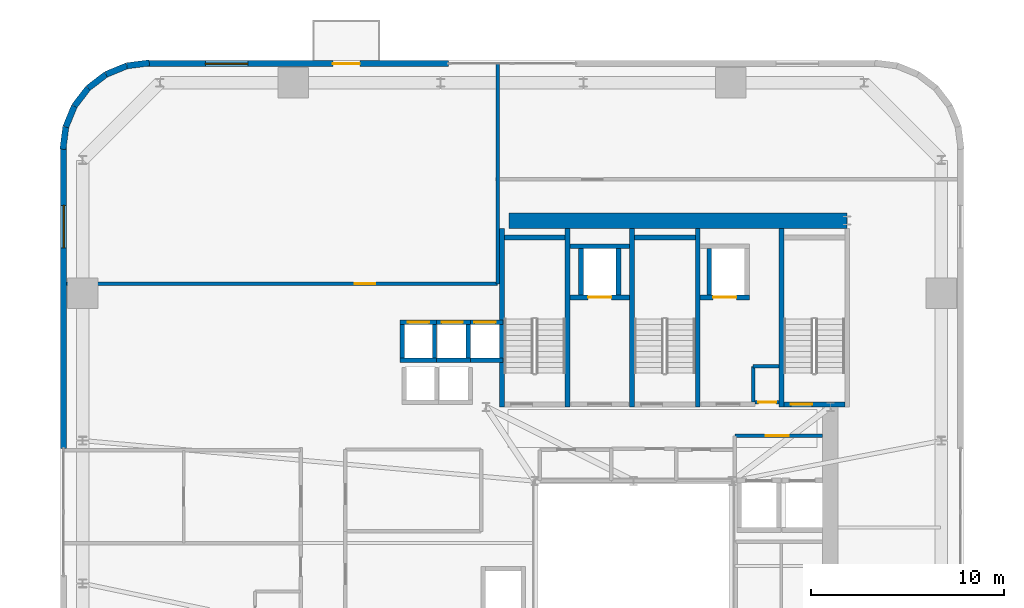
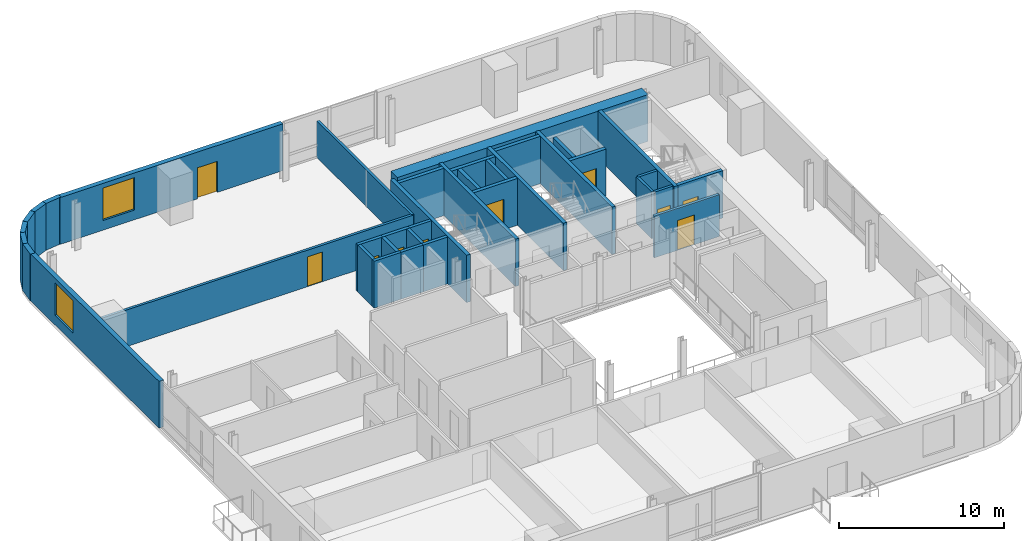
# One storey, part 8 of 13: 38 walls, 10 doors, 2 windows, 12 openings.
"""IFC4 building model written with IfcOpenShell, lengths in metres."""

from ifc_helpers import new_model, si_unit, direction, frame, frame_2d, origin, place, context, subcontext, project, spatial, rectangle, extrude, source, transform, mapped, material, layer, layer_set, type_object, element, fill, save


model = new_model("IFC4")

# Units and contexts
model_context = context("Model", 3, precision=1e-05, world=origin(), true_north=direction((0.0, 1.0)))
body_context = subcontext(model_context, "Body", "Model", "MODEL_VIEW")
ifc_project = project(units=[si_unit("LENGTHUNIT", "METRE"), si_unit("AREAUNIT", "SQUARE_METRE"), si_unit("VOLUMEUNIT", "CUBIC_METRE"), si_unit("PLANEANGLEUNIT", "RADIAN"), si_unit("MASSUNIT", "GRAM", prefix="KILO")], contexts=[model_context])

# Site, building, storey
site_placement = place(None, origin())
site = spatial("IfcSite", under=ifc_project, at=site_placement, CompositionType="ELEMENT")
building_placement = place(site_placement, origin())
building = spatial("IfcBuilding", under=site, at=building_placement, Name="Vardaveli Station Tower", CompositionType="ELEMENT")
storey_placement = place(building_placement, frame((0.0, 0.0, 115.0)))
storey = spatial("IfcBuildingStorey", under=building, at=storey_placement, Name="L29", CompositionType="ELEMENT", Elevation=115.0)

# Wall
ifc_material_1 = material(Name="Concrete C50/60", Category="concrete")
ifc_layer_1 = layer(ifc_material_1, 0.800048828125, Name="Concrete C50/60")
ifc_layer_set_1 = layer_set([ifc_layer_1], Name="Concrete C50/60")
wall_type_1 = type_object("IfcWallType", Name="WAL-CORE-800", PredefinedType="SHEAR", material=ifc_layer_set_1)
shared_shape_1 = source(origin(), body_context, "Body", "SweptSolid", [
    extrude(rectangle(XDim=17.52001953125, YDim=0.800048828125, at=frame_2d((8.760009765625, 0.0))), origin(), (0.0, 0.0, 1.0), 3.4599609375),
])
wall_1_placement = place(storey_placement, frame((29.85009765625, 40.300048828125, 0.0), z_axis=(0.0, 0.0, 1.0), x_axis=(1.0, 0.0, 0.0)))
element("IfcWall", 1, at=wall_1_placement, inside=storey, type_object=wall_type_1, Name="SW-L29-NORTH", PredefinedType="SHEAR", context=body_context, shape_type="MappedRepresentation", body=[
    mapped(shared_shape_1, transform((0.0, 0.0, 0.0), scale=1.0)),
])

# Wall, openings, door, window
ifc_material_2 = material(Name="Precast concrete C45/55", Category="concrete")
ifc_layer_2 = layer(ifc_material_2, 0.320068359375, Name="Precast concrete C45/55")
ifc_layer_set_2 = layer_set([ifc_layer_2], Name="Precast concrete C45/55")
wall_type_2 = type_object("IfcWallType", Name="WAL-EXT-STONE-320", PredefinedType="SOLIDWALL", material=ifc_layer_set_2)
shared_shape_2 = source(origin(), body_context, "Body", "SweptSolid", [
    extrude(rectangle(XDim=15.599853515625, YDim=0.320068359375, at=frame_2d((7.7998046875, 0.0))), origin(), (0.0, 0.0, 1.0), 3.4599609375),
])
wall_2_placement = place(storey_placement, frame((26.699951171875, 48.43994140625, 0.0), z_axis=(0.0, 0.0, 1.0), x_axis=(-1.0, 0.0, 0.0)))
wall_2 = element("IfcWall", 2, at=wall_2_placement, inside=storey, type_object=wall_type_2, Name="EW-L29-N2", PredefinedType="SOLIDWALL", context=body_context, shape_type="MappedRepresentation", body=[
    mapped(shared_shape_2, transform((0.0, 0.0, 0.0), scale=1.0)),
])
shared_shape_3 = source(origin(), body_context, "Body", "SweptSolid", [
    extrude(rectangle(XDim=1.39990234375, YDim=2.300048828125, at=frame_2d((0.699951171875, 1.14990234375))), frame((0.0, 0.169921875, 0.0), z_axis=(0.0, -1.0, 0.0), x_axis=(1.0, 0.0, 0.0)), (0.0, 0.0, 1.0), 0.340087890625),
])
opening_1_placement = place(wall_2_placement, frame((4.589599609375, 0.0, 0.0)))
opening_1 = element("IfcOpeningElement", 3, at=opening_1_placement, cuts=wall_2, Name="Opening D-09", PredefinedType="OPENING", context=body_context, shape_type="MappedRepresentation", body=[
    mapped(shared_shape_3, transform((0.0, 0.0, 0.0), scale=1.0)),
])
shared_shape_4 = source(origin(), body_context, "Body", "SweptSolid", [
    extrude(rectangle(XDim=2.199951171875, YDim=2.39990234375, at=frame_2d((1.10009765625, 1.199951171875))), frame((0.0, 0.169921875, 0.0), z_axis=(0.0, -1.0, 0.0), x_axis=(1.0, 0.0, 0.0)), (0.0, 0.0, 1.0), 0.340087890625),
])
opening_2_placement = place(wall_2_placement, frame((10.39501953125, 0.0, 0.719970703125)))
opening_2 = element("IfcOpeningElement", 4, at=opening_2_placement, cuts=wall_2, Name="Opening W-03", PredefinedType="OPENING", context=body_context, shape_type="MappedRepresentation", body=[
    mapped(shared_shape_4, transform((0.0, 0.0, 0.0), scale=1.0)),
])
ifc_material_3 = material(Name="Thermally broken aluminium glass", Category="aluminium")
door_type_1 = type_object("IfcDoorType", Name="DR-LOG-1400x2300", OperationType="DOUBLE_DOOR_SLIDING", PredefinedType="DOOR", material=ifc_material_3)
shared_shape_5 = source(origin(), body_context, "Body", "SweptSolid", [
    extrude(rectangle(XDim=1.39990234375, YDim=2.300048828125, at=frame_2d((0.699951171875, 1.14990234375))), frame((0.0, 0.02490234375, 0.0), z_axis=(0.0, -1.0, 0.0), x_axis=(1.0, 0.0, 0.0)), (0.0, 0.0, 1.0), 0.050048828125),
])
door_1_placement = place(opening_1_placement, frame((1.39990234375, 0.0, 0.0), z_axis=(0.0, 0.0, 1.0), x_axis=(-1.0, 0.0, 0.0)))
door_1 = element("IfcDoor", 5, at=door_1_placement, inside=storey, type_object=door_type_1, Name="DLG-L29-N", OperationType="DOUBLE_DOOR_SLIDING", OverallHeight=2.300048828125, OverallWidth=1.39990234375, PredefinedType="DOOR", context=body_context, shape_type="MappedRepresentation", body=[
    mapped(shared_shape_5, transform((0.0, 0.0, 0.0), scale=1.0)),
])
fill(opening_1, door_1)
ifc_material_4 = material(Name="Low-E solar-control glass", Category="glass")
window_type = type_object("IfcWindowType", Name="WIN-LOG-2200x2400", PartitioningType="SINGLE_PANEL", PredefinedType="WINDOW", material=ifc_material_4)
shared_shape_6 = source(origin(), body_context, "Body", "SweptSolid", [
    extrude(rectangle(XDim=2.199951171875, YDim=2.39990234375, at=frame_2d((1.10009765625, 1.199951171875))), frame((0.0, 0.030029296875, 0.0), z_axis=(0.0, -1.0, 0.0), x_axis=(1.0, 0.0, 0.0)), (0.0, 0.0, 1.0), 0.06005859375),
])
window_1_placement = place(opening_2_placement, origin())
window_1 = element("IfcWindow", 6, at=window_1_placement, inside=storey, type_object=window_type, Name="WN-L29-N2", OverallHeight=2.39990234375, OverallWidth=2.199951171875, PartitioningType="SINGLE_PANEL", PredefinedType="WINDOW", context=body_context, shape_type="MappedRepresentation", body=[
    mapped(shared_shape_6, transform((0.0, 0.0, 0.0), scale=1.0)),
])
fill(opening_2, window_1)

# Wall, opening, window
shared_shape_7 = source(origin(), body_context, "Body", "SweptSolid", [
    extrude(rectangle(XDim=15.60009765625, YDim=0.320068359375, at=frame_2d((7.800048828125, 0.0))), origin(), (0.0, 0.0, 1.0), 3.4599609375),
])
wall_3_placement = place(storey_placement, frame((6.760009765625, 44.10009765625, 0.0), z_axis=(0.0, 0.0, 1.0), x_axis=(0.0, -1.0, 0.0)))
wall_3 = element("IfcWall", 7, at=wall_3_placement, inside=storey, type_object=wall_type_2, Name="EW-L29-W1", PredefinedType="SOLIDWALL", context=body_context, shape_type="MappedRepresentation", body=[
    mapped(shared_shape_7, transform((0.0, 0.0, 0.0), scale=1.0)),
])
opening_3_placement = place(wall_3_placement, frame((3.0048828125, 0.0, 0.719970703125)))
opening_3 = element("IfcOpeningElement", 8, at=opening_3_placement, cuts=wall_3, Name="Opening W-03", PredefinedType="OPENING", context=body_context, shape_type="MappedRepresentation", body=[
    mapped(shared_shape_4, transform((0.0, 0.0, 0.0), scale=1.0)),
])
window_2_placement = place(opening_3_placement, origin())
window_2 = element("IfcWindow", 9, at=window_2_placement, inside=storey, type_object=window_type, Name="WN-L29-W1", OverallHeight=2.39990234375, OverallWidth=2.199951171875, PartitioningType="SINGLE_PANEL", PredefinedType="WINDOW", context=body_context, shape_type="MappedRepresentation", body=[
    mapped(shared_shape_6, transform((0.0, 0.0, 0.0), scale=1.0)),
])
fill(opening_3, window_2)

# Walls
shared_shape_8 = source(origin(), body_context, "Body", "SweptSolid", [
    extrude(rectangle(XDim=1.1689453125, YDim=0.320068359375, at=frame_2d((0.58447265625, 0.0))), origin(), (0.0, 0.0, 1.0), 3.4599609375),
])
wall_4_placement = place(storey_placement, frame((8.03125, 47.1689453125, 0.0), z_axis=(0.0, 0.0, 1.0), x_axis=(-0.608387696831, -0.793639975269, 0.0)))
element("IfcWall", 10, at=wall_4_placement, inside=storey, type_object=wall_type_2, Name="EW-L29-CR4-4", PredefinedType="SOLIDWALL", context=body_context, shape_type="MappedRepresentation", body=[
    mapped(shared_shape_8, transform((0.0, 0.0, 0.0), scale=1.0)),
])
shared_shape_9 = source(origin(), body_context, "Body", "SweptSolid", [
    extrude(rectangle(XDim=1.168701171875, YDim=0.320068359375, at=frame_2d((0.58447265625, 0.0))), origin(), (0.0, 0.0, 1.0), 3.4599609375),
])
wall_5_placement = place(storey_placement, frame((8.958740234375, 47.8798828125, 0.0), z_axis=(0.0, 0.0, 1.0), x_axis=(-0.793663520347, -0.608356981114, 0.0)))
element("IfcWall", 11, at=wall_5_placement, inside=storey, type_object=wall_type_2, Name="EW-L29-CR4-3", PredefinedType="SOLIDWALL", context=body_context, shape_type="MappedRepresentation", body=[
    mapped(shared_shape_9, transform((0.0, 0.0, 0.0), scale=1.0)),
])
shared_shape_10 = source(origin(), body_context, "Body", "SweptSolid", [
    extrude(rectangle(XDim=1.17041015625, YDim=0.320068359375, at=frame_2d((0.585205078125, 0.0))), origin(), (0.0, 0.0, 1.0), 3.4599609375),
])
for number, where, z_axis, x_axis, name in (
    (12, (11.200439453125, 48.4755859375, 0.0), (0.0, 0.0, 1.0), (-0.991735963317, -0.128295670475, 0.0), "EW-L29-CR4-1"),
    (13, (6.87451171875, 45.16015625, 0.0), (0.0, 0.0, 1.0), (-0.128295670475, -0.991735963317, 0.0), "EW-L29-CR4-6"),
):
    element("IfcWall", number, at=place(storey_placement, frame(where, z_axis=z_axis, x_axis=x_axis)), inside=storey, type_object=wall_type_2, Name=name, PredefinedType="SOLIDWALL", context=body_context, shape_type="MappedRepresentation", body=[
        mapped(shared_shape_10, transform((0.0, 0.0, 0.0), scale=1.0)),
    ])
shared_shape_11 = source(origin(), body_context, "Body", "SweptSolid", [
    extrude(rectangle(XDim=1.169189453125, YDim=0.320068359375, at=frame_2d((0.58447265625, 0.0))), origin(), (0.0, 0.0, 1.0), 3.4599609375),
])
for number, where, z_axis, x_axis, name in (
    (14, (10.039794921875, 48.325439453125, 0.0), (0.0, 0.0, 1.0), (-0.924552646638, -0.381054331552, 0.0), "EW-L29-CR4-2"),
    (15, (7.320068359375, 46.2412109375, 0.0), (0.0, 0.0, 1.0), (-0.381054331552, -0.924552646638, 0.0), "EW-L29-CR4-5"),
):
    element("IfcWall", number, at=place(storey_placement, frame(where, z_axis=z_axis, x_axis=x_axis)), inside=storey, type_object=wall_type_2, Name=name, PredefinedType="SOLIDWALL", context=body_context, shape_type="MappedRepresentation", body=[
        mapped(shared_shape_11, transform((0.0, 0.0, 0.0), scale=1.0)),
    ])
ifc_material_5 = material(Name="Concrete C40/50", Category="concrete")
ifc_layer_3 = layer(ifc_material_5, 0.25, Name="Concrete C40/50")
ifc_layer_set_3 = layer_set([ifc_layer_3], Name="Concrete C40/50")
wall_type_3 = type_object("IfcWallType", Name="WAL-SHAFT-250", PredefinedType="SOLIDWALL", material=ifc_layer_set_3)
shared_shape_12 = source(origin(), body_context, "Body", "SweptSolid", [
    extrude(rectangle(XDim=9.25, YDim=0.25, at=frame_2d((4.625, 0.0))), origin(), (0.0, 0.0, 1.0), 3.5),
])
for number, where, z_axis, x_axis, name in (
    (16, (29.47509765625, 30.64990234375, 0.0), (0.0, 0.0, 1.0), (0.0, 1.0, 0.0), "W-L29-ST-1W"),
    (17, (32.875, 30.64990234375, 0.0), (0.0, 0.0, 1.0), (0.0, 1.0, 0.0), "W-L29-ST-1E"),
    (18, (36.22509765625, 30.64990234375, 0.0), (0.0, 0.0, 1.0), (0.0, 1.0, 0.0), "W-L29-ST-2W"),
    (19, (39.625, 30.64990234375, 0.0), (0.0, 0.0, 1.0), (0.0, 1.0, 0.0), "W-L29-ST-2E"),
    (20, (43.97509765625, 30.64990234375, 0.0), (0.0, 0.0, 1.0), (0.0, 1.0, 0.0), "W-L29-ST-3W"),
):
    element("IfcWall", number, at=place(storey_placement, frame(where, z_axis=z_axis, x_axis=x_axis)), inside=storey, type_object=wall_type_3, Name=name, PredefinedType="SOLIDWALL", context=body_context, shape_type="MappedRepresentation", body=[
        mapped(shared_shape_12, transform((0.0, 0.0, 0.0), scale=1.0)),
    ])
shared_shape_13 = source(origin(), body_context, "Body", "SweptSolid", [
    extrude(rectangle(XDim=3.14990234375, YDim=0.25, at=frame_2d((1.574951171875, 0.0))), origin(), (0.0, 0.0, 1.0), 3.5),
])
for number, where, z_axis, x_axis, name in (
    (21, (29.60009765625, 39.425048828125, 0.0), (0.0, 0.0, 1.0), (1.0, 0.0, 0.0), "W-L29-ST-1N"),
    (22, (36.35009765625, 39.425048828125, 0.0), (0.0, 0.0, 1.0), (1.0, 0.0, 0.0), "W-L29-ST-2N"),
):
    element("IfcWall", number, at=place(storey_placement, frame(where, z_axis=z_axis, x_axis=x_axis)), inside=storey, type_object=wall_type_3, Name=name, PredefinedType="SOLIDWALL", context=body_context, shape_type="MappedRepresentation", body=[
        mapped(shared_shape_13, transform((0.0, 0.0, 0.0), scale=1.0)),
    ])

# Wall, opening, door
wall_6_placement = place(storey_placement, frame((44.10009765625, 30.77490234375, 0.0), z_axis=(0.0, 0.0, 1.0), x_axis=(1.0, 0.0, 0.0)))
wall_6 = element("IfcWall", 23, at=wall_6_placement, inside=storey, type_object=wall_type_3, Name="W-L29-ST-3S", PredefinedType="SOLIDWALL", context=body_context, shape_type="MappedRepresentation", body=[
    mapped(shared_shape_13, transform((0.0, 0.0, 0.0), scale=1.0)),
])
shared_shape_14 = source(origin(), body_context, "Body", "SweptSolid", [
    extrude(rectangle(XDim=1.10009765625, YDim=2.199951171875, at=frame_2d((0.550048828125, 1.10009765625))), frame((0.0, 0.135009765625, 0.0), z_axis=(0.0, -1.0, 0.0), x_axis=(1.0, 0.0, 0.0)), (0.0, 0.0, 1.0), 0.27001953125),
])
opening_4_placement = place(wall_6_placement, frame((0.35009765625, 0.0, 0.0)))
opening_4 = element("IfcOpeningElement", 24, at=opening_4_placement, cuts=wall_6, Name="Opening D-04", PredefinedType="OPENING", context=body_context, shape_type="MappedRepresentation", body=[
    mapped(shared_shape_14, transform((0.0, 0.0, 0.0), scale=1.0)),
])
ifc_material_6 = material(Name="Steel smokeproof fire doorset", Category="steel")
door_type_2 = type_object("IfcDoorType", Name="DR-ST-1100x2200", OperationType="NOTDEFINED", PredefinedType="DOOR", material=ifc_material_6)
shared_shape_15 = source(origin(), body_context, "Body", "SweptSolid", [
    extrude(rectangle(XDim=1.10009765625, YDim=2.199951171875, at=frame_2d((0.550048828125, 1.10009765625))), frame((0.0, 0.02490234375, 0.0), z_axis=(0.0, -1.0, 0.0), x_axis=(1.0, 0.0, 0.0)), (0.0, 0.0, 1.0), 0.050048828125),
])
door_2_placement = place(opening_4_placement, origin())
door_2 = element("IfcDoor", 25, at=door_2_placement, inside=storey, type_object=door_type_2, Name="DST-3-L29", OperationType="SINGLE_SWING_LEFT", OverallHeight=2.199951171875, OverallWidth=1.10009765625, PredefinedType="DOOR", context=body_context, shape_type="MappedRepresentation", body=[
    mapped(shared_shape_15, transform((0.0, 0.0, 0.0), scale=1.0)),
])
fill(opening_4, door_2)

# Wall
ifc_layer_4 = layer(ifc_material_5, 0.219970703125, Name="Concrete C40/50")
ifc_layer_set_4 = layer_set([ifc_layer_4], Name="Concrete C40/50")
wall_type_4 = type_object("IfcWallType", Name="WAL-FFLOBBY-220", PredefinedType="SOLIDWALL", material=ifc_layer_set_4)
shared_shape_16 = source(origin(), body_context, "Body", "SweptSolid", [
    extrude(rectangle(XDim=1.889892578125, YDim=0.219970703125, at=frame_2d((0.94482421875, 0.0))), origin(), (0.0, 0.0, 1.0), 3.4599609375),
])
wall_7_placement = place(storey_placement, frame((24.205078125, 33.06494140625, 0.0), z_axis=(0.0, 0.0, 1.0), x_axis=(1.0, 0.0, 0.0)))
element("IfcWall", 26, at=wall_7_placement, inside=storey, type_object=wall_type_4, Name="SHW-HL2-01-L29-S", PredefinedType="SOLIDWALL", context=body_context, shape_type="MappedRepresentation", body=[
    mapped(shared_shape_16, transform((0.0, 0.0, 0.0), scale=1.0)),
])

# Wall, opening, door
wall_8_placement = place(storey_placement, frame((24.205078125, 35.034912109375, 0.0), z_axis=(0.0, 0.0, 1.0), x_axis=(1.0, 0.0, 0.0)))
wall_8 = element("IfcWall", 27, at=wall_8_placement, inside=storey, type_object=wall_type_4, Name="SHW-HL2-01-L29-N", PredefinedType="SOLIDWALL", context=body_context, shape_type="MappedRepresentation", body=[
    mapped(shared_shape_16, transform((0.0, 0.0, 0.0), scale=1.0)),
])
shared_shape_17 = source(origin(), body_context, "Body", "SweptSolid", [
    extrude(rectangle(XDim=1.10009765625, YDim=2.199951171875, at=frame_2d((0.550048828125, 1.10009765625))), frame((0.0, 0.1201171875, 0.0), z_axis=(0.0, -1.0, 0.0), x_axis=(1.0, 0.0, 0.0)), (0.0, 0.0, 1.0), 0.239990234375),
])
opening_5_placement = place(wall_8_placement, frame((0.39501953125, 0.0, 0.0)))
opening_5 = element("IfcOpeningElement", 28, at=opening_5_placement, cuts=wall_8, Name="Opening LD-01", PredefinedType="OPENING", context=body_context, shape_type="MappedRepresentation", body=[
    mapped(shared_shape_17, transform((0.0, 0.0, 0.0), scale=1.0)),
])
ifc_material_7 = material(Name="Brushed stainless steel", Category="steel")
door_type_3 = type_object("IfcDoorType", Name="DR-LD-1100x2200", OperationType="DOUBLE_DOOR_SLIDING", PredefinedType="DOOR", material=ifc_material_7)
door_3_placement = place(opening_5_placement, origin())
door_3 = element("IfcDoor", 29, at=door_3_placement, inside=storey, type_object=door_type_3, Name="LD-HL2-01-L29", OperationType="DOUBLE_DOOR_SLIDING", OverallHeight=2.199951171875, OverallWidth=1.10009765625, PredefinedType="DOOR", context=body_context, shape_type="MappedRepresentation", body=[
    mapped(shared_shape_15, transform((0.0, 0.0, 0.0), scale=1.0)),
])
fill(opening_5, door_3)

# Wall
wall_9_placement = place(storey_placement, frame((25.955078125, 33.06494140625, 0.0), z_axis=(0.0, 0.0, 1.0), x_axis=(1.0, 0.0, 0.0)))
element("IfcWall", 30, at=wall_9_placement, inside=storey, type_object=wall_type_4, Name="SHW-HL2-02-L29-S", PredefinedType="SOLIDWALL", context=body_context, shape_type="MappedRepresentation", body=[
    mapped(shared_shape_16, transform((0.0, 0.0, 0.0), scale=1.0)),
])

# Wall, opening, door
wall_10_placement = place(storey_placement, frame((25.955078125, 35.034912109375, 0.0), z_axis=(0.0, 0.0, 1.0), x_axis=(1.0, 0.0, 0.0)))
wall_10 = element("IfcWall", 31, at=wall_10_placement, inside=storey, type_object=wall_type_4, Name="SHW-HL2-02-L29-N", PredefinedType="SOLIDWALL", context=body_context, shape_type="MappedRepresentation", body=[
    mapped(shared_shape_16, transform((0.0, 0.0, 0.0), scale=1.0)),
])
opening_6_placement = place(wall_10_placement, frame((0.39501953125, 0.0, 0.0)))
opening_6 = element("IfcOpeningElement", 32, at=opening_6_placement, cuts=wall_10, Name="Opening LD-01", PredefinedType="OPENING", context=body_context, shape_type="MappedRepresentation", body=[
    mapped(shared_shape_17, transform((0.0, 0.0, 0.0), scale=1.0)),
])
door_4_placement = place(opening_6_placement, origin())
door_4 = element("IfcDoor", 33, at=door_4_placement, inside=storey, type_object=door_type_3, Name="LD-HL2-02-L29", OperationType="DOUBLE_DOOR_SLIDING", OverallHeight=2.199951171875, OverallWidth=1.10009765625, PredefinedType="DOOR", context=body_context, shape_type="MappedRepresentation", body=[
    mapped(shared_shape_15, transform((0.0, 0.0, 0.0), scale=1.0)),
])
fill(opening_6, door_4)

# Wall
wall_11_placement = place(storey_placement, frame((27.655029296875, 33.06494140625, 0.0), z_axis=(0.0, 0.0, 1.0), x_axis=(1.0, 0.0, 0.0)))
element("IfcWall", 34, at=wall_11_placement, inside=storey, type_object=wall_type_4, Name="SHW-HL2-03-L29-S", PredefinedType="SOLIDWALL", context=body_context, shape_type="MappedRepresentation", body=[
    mapped(shared_shape_16, transform((0.0, 0.0, 0.0), scale=1.0)),
])

# Wall, opening, door
wall_12_placement = place(storey_placement, frame((27.655029296875, 35.034912109375, 0.0), z_axis=(0.0, 0.0, 1.0), x_axis=(1.0, 0.0, 0.0)))
wall_12 = element("IfcWall", 35, at=wall_12_placement, inside=storey, type_object=wall_type_4, Name="SHW-HL2-03-L29-N", PredefinedType="SOLIDWALL", context=body_context, shape_type="MappedRepresentation", body=[
    mapped(shared_shape_16, transform((0.0, 0.0, 0.0), scale=1.0)),
])
opening_7_placement = place(wall_12_placement, frame((0.39501953125, 0.0, 0.0)))
opening_7 = element("IfcOpeningElement", 36, at=opening_7_placement, cuts=wall_12, Name="Opening LD-01", PredefinedType="OPENING", context=body_context, shape_type="MappedRepresentation", body=[
    mapped(shared_shape_17, transform((0.0, 0.0, 0.0), scale=1.0)),
])
door_5_placement = place(opening_7_placement, origin())
door_5 = element("IfcDoor", 37, at=door_5_placement, inside=storey, type_object=door_type_3, Name="LD-HL2-03-L29", OperationType="DOUBLE_DOOR_SLIDING", OverallHeight=2.199951171875, OverallWidth=1.10009765625, PredefinedType="DOOR", context=body_context, shape_type="MappedRepresentation", body=[
    mapped(shared_shape_15, transform((0.0, 0.0, 0.0), scale=1.0)),
])
fill(opening_7, door_5)

# Walls
shared_shape_18 = source(origin(), body_context, "Body", "SweptSolid", [
    extrude(rectangle(XDim=1.75, YDim=0.219970703125, at=frame_2d((0.875, 0.0))), origin(), (0.0, 0.0, 1.0), 3.4599609375),
])
for number, where, z_axis, x_axis, name in (
    (38, (24.31494140625, 33.175048828125, 0.0), (0.0, 0.0, 1.0), (0.0, 1.0, 0.0), "SHW-HL2-01-L29-W"),
    (39, (25.985107421875, 33.175048828125, 0.0), (0.0, 0.0, 1.0), (0.0, 1.0, 0.0), "SHW-HL2-01-L29-E"),
    (40, (27.735107421875, 33.175048828125, 0.0), (0.0, 0.0, 1.0), (0.0, 1.0, 0.0), "SHW-HL2-02-L29-E"),
):
    element("IfcWall", number, at=place(storey_placement, frame(where, z_axis=z_axis, x_axis=x_axis)), inside=storey, type_object=wall_type_4, Name=name, PredefinedType="SOLIDWALL", context=body_context, shape_type="MappedRepresentation", body=[
        mapped(shared_shape_18, transform((0.0, 0.0, 0.0), scale=1.0)),
    ])

# Wall, opening, door
shared_shape_19 = source(origin(), body_context, "Body", "SweptSolid", [
    extrude(rectangle(XDim=3.10009765625, YDim=0.25, at=frame_2d((1.550048828125, 0.0))), origin(), (0.0, 0.0, 1.0), 3.4599609375),
])
wall_13_placement = place(storey_placement, frame((33.0, 36.324951171875, 0.0), z_axis=(0.0, 0.0, 1.0), x_axis=(1.0, 0.0, 0.0)))
wall_13 = element("IfcWall", 41, at=wall_13_placement, inside=storey, type_object=wall_type_3, Name="SHW-FFL-01-L29-S", PredefinedType="SOLIDWALL", context=body_context, shape_type="MappedRepresentation", body=[
    mapped(shared_shape_19, transform((0.0, 0.0, 0.0), scale=1.0)),
])
shared_shape_20 = source(origin(), body_context, "Body", "SweptSolid", [
    extrude(rectangle(XDim=1.199951171875, YDim=2.25, at=frame_2d((0.60009765625, 1.125))), frame((0.0, 0.135009765625, 0.0), z_axis=(0.0, -1.0, 0.0), x_axis=(1.0, 0.0, 0.0)), (0.0, 0.0, 1.0), 0.27001953125),
])
opening_8_placement = place(wall_13_placement, frame((0.949951171875, 0.0, 0.0)))
opening_8 = element("IfcOpeningElement", 42, at=opening_8_placement, cuts=wall_13, Name="Opening LD-02", PredefinedType="OPENING", context=body_context, shape_type="MappedRepresentation", body=[
    mapped(shared_shape_20, transform((0.0, 0.0, 0.0), scale=1.0)),
])
door_type_4 = type_object("IfcDoorType", Name="DR-LD-1200x2250", OperationType="DOUBLE_DOOR_SLIDING", PredefinedType="DOOR", material=ifc_material_7)
shared_shape_21 = source(origin(), body_context, "Body", "SweptSolid", [
    extrude(rectangle(XDim=1.199951171875, YDim=2.25, at=frame_2d((0.60009765625, 1.125))), frame((0.0, 0.02490234375, 0.0), z_axis=(0.0, -1.0, 0.0), x_axis=(1.0, 0.0, 0.0)), (0.0, 0.0, 1.0), 0.050048828125),
])
door_6_placement = place(opening_8_placement, origin())
door_6 = element("IfcDoor", 43, at=door_6_placement, inside=storey, type_object=door_type_4, Name="LD-FFL-01-L29", OperationType="DOUBLE_DOOR_SLIDING", OverallHeight=2.25, OverallWidth=1.199951171875, PredefinedType="DOOR", context=body_context, shape_type="MappedRepresentation", body=[
    mapped(shared_shape_21, transform((0.0, 0.0, 0.0), scale=1.0)),
])
fill(opening_8, door_6)

# Walls
wall_14_placement = place(storey_placement, frame((33.0, 38.97509765625, 0.0), z_axis=(0.0, 0.0, 1.0), x_axis=(1.0, 0.0, 0.0)))
element("IfcWall", 44, at=wall_14_placement, inside=storey, type_object=wall_type_3, Name="SHW-FFL-01-L29-N", PredefinedType="SOLIDWALL", context=body_context, shape_type="MappedRepresentation", body=[
    mapped(shared_shape_19, transform((0.0, 0.0, 0.0), scale=1.0)),
])
shared_shape_22 = source(origin(), body_context, "Body", "SweptSolid", [
    extrude(rectangle(XDim=2.400146484375, YDim=0.25, at=frame_2d((1.2001953125, 0.0))), origin(), (0.0, 0.0, 1.0), 3.4599609375),
])
for number, where, z_axis, x_axis, name in (
    (45, (33.574951171875, 36.449951171875, 0.0), (0.0, 0.0, 1.0), (0.0, 1.0, 0.0), "SHW-FFL-01-L29-W"),
    (46, (35.52490234375, 36.449951171875, 0.0), (0.0, 0.0, 1.0), (0.0, 1.0, 0.0), "SHW-FFL-01-L29-E"),
    (47, (40.22509765625, 36.449951171875, 0.0), (0.0, 0.0, 1.0), (0.0, 1.0, 0.0), "SHW-FFL-02-L29-W"),
):
    element("IfcWall", number, at=place(storey_placement, frame(where, z_axis=z_axis, x_axis=x_axis)), inside=storey, type_object=wall_type_3, Name=name, PredefinedType="SOLIDWALL", context=body_context, shape_type="MappedRepresentation", body=[
        mapped(shared_shape_22, transform((0.0, 0.0, 0.0), scale=1.0)),
    ])

# Wall, opening, door
shared_shape_23 = source(origin(), body_context, "Body", "SweptSolid", [
    extrude(rectangle(XDim=2.550048828125, YDim=0.25, at=frame_2d((1.27490234375, 0.0))), origin(), (0.0, 0.0, 1.0), 3.4599609375),
])
wall_15_placement = place(storey_placement, frame((39.75, 36.324951171875, 0.0), z_axis=(0.0, 0.0, 1.0), x_axis=(1.0, 0.0, 0.0)))
wall_15 = element("IfcWall", 48, at=wall_15_placement, inside=storey, type_object=wall_type_3, Name="SHW-FFL-02-L29-S", PredefinedType="SOLIDWALL", context=body_context, shape_type="MappedRepresentation", body=[
    mapped(shared_shape_23, transform((0.0, 0.0, 0.0), scale=1.0)),
])
opening_9_placement = place(wall_15_placement, frame((0.675048828125, 0.0, 0.0)))
opening_9 = element("IfcOpeningElement", 49, at=opening_9_placement, cuts=wall_15, Name="Opening LD-02", PredefinedType="OPENING", context=body_context, shape_type="MappedRepresentation", body=[
    mapped(shared_shape_20, transform((0.0, 0.0, 0.0), scale=1.0)),
])
door_7_placement = place(opening_9_placement, origin())
door_7 = element("IfcDoor", 50, at=door_7_placement, inside=storey, type_object=door_type_4, Name="LD-FFL-02-L29", OperationType="DOUBLE_DOOR_SLIDING", OverallHeight=2.25, OverallWidth=1.199951171875, PredefinedType="DOOR", context=body_context, shape_type="MappedRepresentation", body=[
    mapped(shared_shape_21, transform((0.0, 0.0, 0.0), scale=1.0)),
])
fill(opening_9, door_7)

ifc_material_8 = material(Name="Fire-rated gypsum stud partition")
ifc_layer_5 = layer(ifc_material_8, 0.179931640625, Name="Fire-rated gypsum stud partition")
ifc_layer_set_5 = layer_set([ifc_layer_5], Name="Fire-rated gypsum stud partition")
wall_type_5 = type_object("IfcWallType", Name="WAL-CORR-180", PredefinedType="PARTITIONING", material=ifc_layer_set_5)
shared_shape_24 = source(origin(), body_context, "Body", "SweptSolid", [
    extrude(rectangle(XDim=22.327880859375, YDim=0.179931640625, at=frame_2d((11.1640625, 0.0))), origin(), (0.0, 0.0, 1.0), 2.701904296875),
])
wall_16_placement = place(storey_placement, frame((6.922119140625, 37.02001953125, 0.0), z_axis=(0.0, 0.0, 1.0), x_axis=(1.0, 0.0, 0.0)))
wall_16 = element("IfcWall", 51, at=wall_16_placement, inside=storey, type_object=wall_type_5, Name="W-L29-CNWS", PredefinedType="PARTITIONING", context=body_context, shape_type="MappedRepresentation", body=[
    mapped(shared_shape_24, transform((0.0, 0.0, 0.0), scale=1.0)),
])
shared_shape_25 = source(origin(), body_context, "Body", "SweptSolid", [
    extrude(rectangle(XDim=1.050048828125, YDim=2.199951171875, at=frame_2d((0.52490234375, 1.10009765625))), frame((0.0, 0.10009765625, 0.0), z_axis=(0.0, -1.0, 0.0), x_axis=(1.0, 0.0, 0.0)), (0.0, 0.0, 1.0), 0.199951171875),
])
opening_10_placement = place(wall_16_placement, frame((14.927978515625, 0.0, 0.0)))
opening_10 = element("IfcOpeningElement", 52, at=opening_10_placement, cuts=wall_16, Name="Opening D-05", PredefinedType="OPENING", context=body_context, shape_type="MappedRepresentation", body=[
    mapped(shared_shape_25, transform((0.0, 0.0, 0.0), scale=1.0)),
])
ifc_material_9 = material(Name="Walnut veneer acoustic fire door")
door_type_5 = type_object("IfcDoorType", Name="DR-SUITE-1050x2200", OperationType="NOTDEFINED", PredefinedType="DOOR", material=ifc_material_9)
shared_shape_26 = source(origin(), body_context, "Body", "SweptSolid", [
    extrude(rectangle(XDim=1.050048828125, YDim=2.199951171875, at=frame_2d((0.52490234375, 1.10009765625))), frame((0.0, 0.02490234375, 0.0), z_axis=(0.0, -1.0, 0.0), x_axis=(1.0, 0.0, 0.0)), (0.0, 0.0, 1.0), 0.050048828125),
])
door_8_placement = place(opening_10_placement, origin())
door_8 = element("IfcDoor", 53, at=door_8_placement, inside=storey, type_object=door_type_5, Name="D-L29-GNW1", OperationType="SINGLE_SWING_RIGHT", OverallHeight=2.199951171875, OverallWidth=1.050048828125, PredefinedType="DOOR", context=body_context, shape_type="MappedRepresentation", body=[
    mapped(shared_shape_26, transform((0.0, 0.0, 0.0), scale=1.0)),
])
fill(opening_10, door_8)

shared_shape_27 = source(origin(), body_context, "Body", "SweptSolid", [
    extrude(rectangle(XDim=4.5478515625, YDim=0.179931640625, at=frame_2d((2.27392578125, 0.0))), origin(), (0.0, 0.0, 1.0), 3.092041015625),
])
wall_17_placement = place(storey_placement, frame((41.550048828125, 29.14990234375, 0.0), z_axis=(0.0, 0.0, 1.0), x_axis=(1.0, 0.0, 0.0)))
wall_17 = element("IfcWall", 54, at=wall_17_placement, inside=storey, type_object=wall_type_5, Name="W-L29-SVFN", PredefinedType="PARTITIONING", context=body_context, shape_type="MappedRepresentation", body=[
    mapped(shared_shape_27, transform((0.0, 0.0, 0.0), scale=1.0)),
])
shared_shape_28 = source(origin(), body_context, "Body", "SweptSolid", [
    extrude(rectangle(XDim=1.199951171875, YDim=2.199951171875, at=frame_2d((0.60009765625, 1.10009765625))), frame((0.0, 0.10009765625, 0.0), z_axis=(0.0, -1.0, 0.0), x_axis=(1.0, 0.0, 0.0)), (0.0, 0.0, 1.0), 0.199951171875),
])
opening_11_placement = place(wall_17_placement, frame((1.60009765625, 0.0, 0.0)))
opening_11 = element("IfcOpeningElement", 55, at=opening_11_placement, cuts=wall_17, Name="Opening D-03", PredefinedType="OPENING", context=body_context, shape_type="MappedRepresentation", body=[
    mapped(shared_shape_28, transform((0.0, 0.0, 0.0), scale=1.0)),
])
door_type_6 = type_object("IfcDoorType", Name="DR-FFL-1200x2200", OperationType="NOTDEFINED", PredefinedType="DOOR", material=ifc_material_6)
shared_shape_29 = source(origin(), body_context, "Body", "SweptSolid", [
    extrude(rectangle(XDim=1.199951171875, YDim=2.199951171875, at=frame_2d((0.60009765625, 1.10009765625))), frame((0.0, 0.02490234375, 0.0), z_axis=(0.0, -1.0, 0.0), x_axis=(1.0, 0.0, 0.0)), (0.0, 0.0, 1.0), 0.050048828125),
])
door_9_placement = place(opening_11_placement, origin())
door_9 = element("IfcDoor", 56, at=door_9_placement, inside=storey, type_object=door_type_6, Name="D-L29-SVF", OperationType="SINGLE_SWING_LEFT", OverallHeight=2.199951171875, OverallWidth=1.199951171875, PredefinedType="DOOR", context=body_context, shape_type="MappedRepresentation", body=[
    mapped(shared_shape_29, transform((0.0, 0.0, 0.0), scale=1.0)),
])
fill(opening_11, door_9)

# Wall
shared_shape_30 = source(origin(), body_context, "Body", "SweptSolid", [
    extrude(rectangle(XDim=11.449951171875, YDim=0.179931640625, at=frame_2d((5.72509765625, 0.0))), origin(), (0.0, 0.0, 1.0), 2.701904296875),
])
wall_18_placement = place(storey_placement, frame((29.25, 37.02001953125, 0.0), z_axis=(0.0, 0.0, 1.0), x_axis=(0.0, 1.0, 0.0)))
element("IfcWall", 57, at=wall_18_placement, inside=storey, type_object=wall_type_5, Name="W-L29-CNWE", PredefinedType="PARTITIONING", context=body_context, shape_type="MappedRepresentation", body=[
    mapped(shared_shape_30, transform((0.0, 0.0, 0.0), scale=1.0)),
])

# Wall, opening, door
shared_shape_31 = source(origin(), body_context, "Body", "SweptSolid", [
    extrude(rectangle(XDim=1.247802734375, YDim=0.179931640625, at=frame_2d((0.6240234375, 0.0))), origin(), (0.0, 0.0, 1.0), 3.4599609375),
])
wall_19_placement = place(storey_placement, frame((42.60009765625, 30.8798828125, 0.0), z_axis=(0.0, 0.0, 1.0), x_axis=(1.0, 0.0, 0.0)))
wall_19 = element("IfcWall", 58, at=wall_19_placement, inside=storey, type_object=wall_type_5, Name="W-L29-CBS2A-S", PredefinedType="PARTITIONING", context=body_context, shape_type="MappedRepresentation", body=[
    mapped(shared_shape_31, transform((0.0, 0.0, 0.0), scale=1.0)),
])
shared_shape_32 = source(origin(), body_context, "Body", "SweptSolid", [
    extrude(rectangle(XDim=0.919921875, YDim=2.10009765625, at=frame_2d((0.4599609375, 1.050048828125))), frame((0.0, 0.10009765625, 0.0), z_axis=(0.0, -1.0, 0.0), x_axis=(1.0, 0.0, 0.0)), (0.0, 0.0, 1.0), 0.199951171875),
])
opening_12_placement = place(wall_19_placement, frame((0.1640625, 0.0, 0.0)))
opening_12 = element("IfcOpeningElement", 59, at=opening_12_placement, cuts=wall_19, Name="Opening D-07", PredefinedType="OPENING", context=body_context, shape_type="MappedRepresentation", body=[
    mapped(shared_shape_32, transform((0.0, 0.0, 0.0), scale=1.0)),
])
ifc_material_10 = material(Name="Moisture-resistant hardwood door", Category="wood")
door_type_7 = type_object("IfcDoorType", Name="DR-WC-920x2100", OperationType="NOTDEFINED", PredefinedType="DOOR", material=ifc_material_10)
shared_shape_33 = source(origin(), body_context, "Body", "SweptSolid", [
    extrude(rectangle(XDim=0.919921875, YDim=2.10009765625, at=frame_2d((0.4599609375, 1.050048828125))), frame((0.0, 0.02490234375, 0.0), z_axis=(0.0, -1.0, 0.0), x_axis=(1.0, 0.0, 0.0)), (0.0, 0.0, 1.0), 0.050048828125),
])
door_10_placement = place(opening_12_placement, origin())
door_10 = element("IfcDoor", 60, at=door_10_placement, inside=storey, type_object=door_type_7, Name="D-L29-CBS1", OperationType="SINGLE_SWING_LEFT", OverallHeight=2.10009765625, OverallWidth=0.919921875, PredefinedType="DOOR", context=body_context, shape_type="MappedRepresentation", body=[
    mapped(shared_shape_33, transform((0.0, 0.0, 0.0), scale=1.0)),
])
fill(opening_12, door_10)

# Walls
shared_shape_34 = source(origin(), body_context, "Body", "SweptSolid", [
    extrude(rectangle(XDim=1.85791015625, YDim=0.179931640625, at=frame_2d((0.928955078125, 0.0))), origin(), (0.0, 0.0, 1.0), 3.4599609375),
])
wall_20_placement = place(storey_placement, frame((42.5, 30.89208984375, 0.0), z_axis=(0.0, 0.0, 1.0), x_axis=(0.0, 1.0, 0.0)))
element("IfcWall", 61, at=wall_20_placement, inside=storey, type_object=wall_type_5, Name="W-L29-CBS2A-W", PredefinedType="PARTITIONING", context=body_context, shape_type="MappedRepresentation", body=[
    mapped(shared_shape_34, transform((0.0, 0.0, 0.0), scale=1.0)),
])
shared_shape_35 = source(origin(), body_context, "Body", "SweptSolid", [
    extrude(rectangle(XDim=1.347900390625, YDim=0.179931640625, at=frame_2d((0.673828125, 0.0))), origin(), (0.0, 0.0, 1.0), 3.4599609375),
])
wall_21_placement = place(storey_placement, frame((42.5, 32.75, 0.0), z_axis=(0.0, 0.0, 1.0), x_axis=(1.0, 0.0, 0.0)))
element("IfcWall", 62, at=wall_21_placement, inside=storey, type_object=wall_type_5, Name="W-L29-CBS2A-N", PredefinedType="PARTITIONING", context=body_context, shape_type="MappedRepresentation", body=[
    mapped(shared_shape_35, transform((0.0, 0.0, 0.0), scale=1.0)),
])

save(model, "model.ifc")
